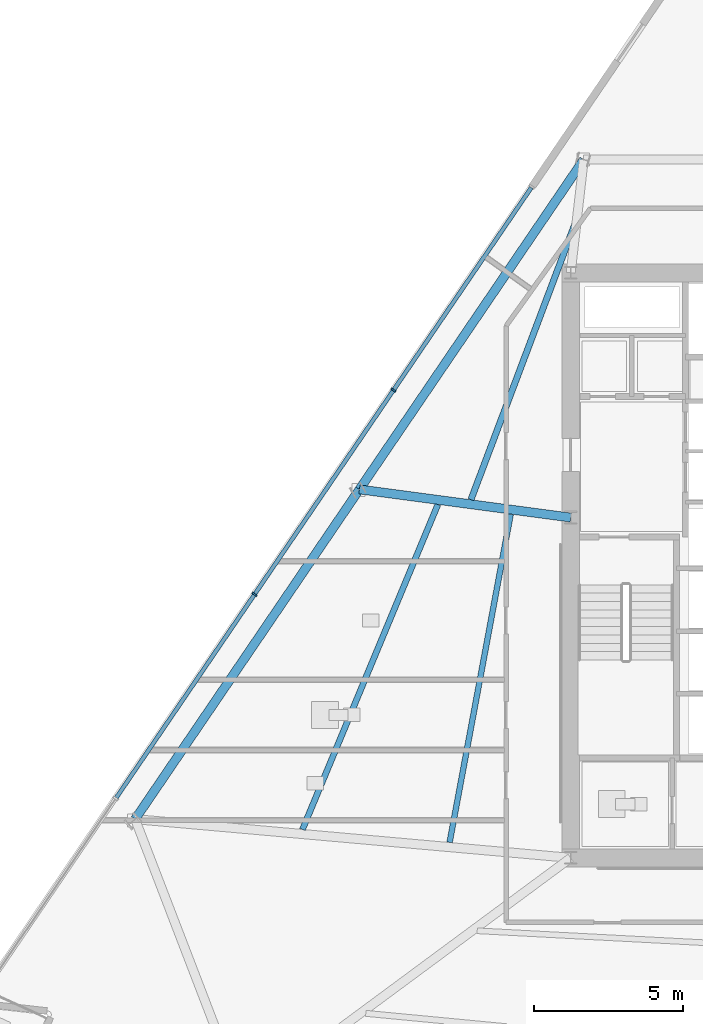
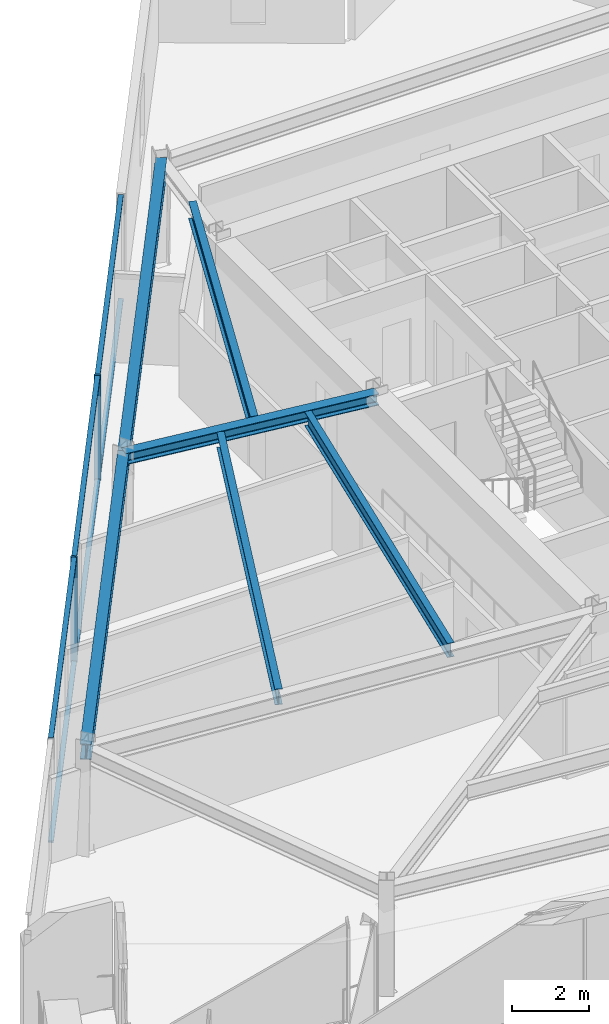
# One storey, part 3 of 15: 8 members, 6 beams, 1 element without a shape of its own.
"""IFC4 building model written with IfcOpenShell, lengths in metres."""

from ifc_helpers import new_model, si_unit, direction, frame, origin, origin_2d, place, context, subcontext, project, spatial, rectangle, i_section, extrude, material, material_profile, profile_set, type_object, element, aggregate, save


model = new_model("IFC4")

# Units and contexts
model_context = context("Model", 3, precision=1e-05, world=origin(), true_north=direction((0.0, 1.0)))
body_context = subcontext(model_context, "Body", "Model", "MODEL_VIEW")
ifc_project = project(units=[si_unit("LENGTHUNIT", "METRE"), si_unit("AREAUNIT", "SQUARE_METRE"), si_unit("VOLUMEUNIT", "CUBIC_METRE"), si_unit("PLANEANGLEUNIT", "RADIAN"), si_unit("MASSUNIT", "GRAM", prefix="KILO")], contexts=[model_context])

# Site, building, storey
site_placement = place(None, origin())
site = spatial("IfcSite", under=ifc_project, at=site_placement, CompositionType="ELEMENT")
building_placement = place(site_placement, origin())
building = spatial("IfcBuilding", under=site, at=building_placement, Name="Savorim Split Tower", CompositionType="ELEMENT")
storey_placement = place(building_placement, frame((0.0, 0.0, 107.699951171875)))
storey = spatial("IfcBuildingStorey", under=building, at=storey_placement, Name="L28", CompositionType="ELEMENT", Elevation=107.699951171875)

# Beams
ifc_material_1 = material(Name="Steel S355", Category="steel")
ifc_material_profile_1 = material_profile(ifc_material_1, i_section(OverallWidth=0.18994140625, OverallDepth=0.449951171875, WebThickness=0.009521484375, FlangeThickness=0.0146484375, FilletRadius=0.02099609375, at=origin_2d()), Name="IPE 450")
ifc_profile_set_1 = profile_set([ifc_material_profile_1], Name="Steel S355")
beam_type_1 = type_object("IfcBeamType", Name="BM-JST-IPE450", PredefinedType="JOIST", material=ifc_profile_set_1)
beam_1_placement = place(storey_placement, frame((-9.711181640625, 2.10693359375, 3.125), z_axis=(-0.183032645998, -0.98310683575, 0.0), x_axis=(0.98310683575, -0.183032645998, 0.0)))
element("IfcBeam", 1, at=beam_1_placement, inside=storey, type_object=beam_type_1, Name="L28 Secondary Floor Joist JS-11", PredefinedType="JOIST", context=body_context, shape_type="SweptSolid", body=[
    extrude(i_section(OverallWidth=0.18994140625, OverallDepth=0.449951171875, WebThickness=0.009521484375, FlangeThickness=0.0146484375, FilletRadius=0.02099609375, at=origin_2d()), origin(), (0.0, 0.0, 1.0), 11.175048828125),
])
ifc_material_profile_2 = material_profile(ifc_material_1, i_section(OverallWidth=0.199951171875, OverallDepth=0.5, WebThickness=0.01025390625, FlangeThickness=0.01611328125, FilletRadius=0.02099609375, at=origin_2d()), Name="IPE 500")
ifc_profile_set_2 = profile_set([ifc_material_profile_2], Name="Steel S355")
beam_type_2 = type_object("IfcBeamType", Name="BM-JST-IPE500", PredefinedType="JOIST", material=ifc_profile_set_2)
beam_2_placement = place(storey_placement, frame((-12.14990234375, 2.4375, 3.10009765625), z_axis=(-0.38465213428, -0.923061609858, 0.0), x_axis=(0.923061609858, -0.38465213428, 0.0)))
element("IfcBeam", 2, at=beam_2_placement, inside=storey, type_object=beam_type_2, Name="L28 Secondary Floor Joist JS-10", PredefinedType="JOIST", context=body_context, shape_type="SweptSolid", body=[
    extrude(i_section(OverallWidth=0.199951171875, OverallDepth=0.5, WebThickness=0.01025390625, FlangeThickness=0.01611328125, FilletRadius=0.02099609375, at=origin_2d()), origin(), (0.0, 0.0, 1.0), 11.792724609375),
])
ifc_material_profile_3 = material_profile(ifc_material_1, i_section(OverallWidth=0.2099609375, OverallDepth=0.550048828125, WebThickness=0.010986328125, FlangeThickness=0.01708984375, FilletRadius=0.02392578125, at=origin_2d()), Name="IPE 550")
ifc_profile_set_3 = profile_set([ifc_material_profile_3], Name="Steel S355")
beam_type_3 = type_object("IfcBeamType", Name="BM-JST-IPE550", PredefinedType="JOIST", material=ifc_profile_set_3)
beam_3_placement = place(storey_placement, frame((-7.546630859375, 11.869873046875, 3.074951171875), z_axis=(-0.352824769533, -0.935689415353, 0.0), x_axis=(0.935689415353, -0.352824769533, 0.0)))
element("IfcBeam", 3, at=beam_3_placement, inside=storey, type_object=beam_type_3, Name="L28 Secondary Floor Joist JS-09", PredefinedType="JOIST", context=body_context, shape_type="SweptSolid", body=[
    extrude(i_section(OverallWidth=0.2099609375, OverallDepth=0.550048828125, WebThickness=0.010986328125, FlangeThickness=0.01708984375, FilletRadius=0.02392578125, at=origin_2d()), origin(), (0.0, 0.0, 1.0), 9.904052734375),
])
ifc_material_profile_4 = material_profile(ifc_material_1, i_section(OverallWidth=0.300048828125, OverallDepth=0.360107421875, WebThickness=0.012451171875, FlangeThickness=0.0224609375, FilletRadius=0.027099609375, at=origin_2d()), Name="HEB 360")
ifc_profile_set_4 = profile_set([ifc_material_profile_4], Name="Steel S355")
beam_type_4 = type_object("IfcBeamType", Name="BM-PRI-HEB360", PredefinedType="BEAM", material=ifc_profile_set_4)
beam_4_placement = place(storey_placement, frame((-14.778076171875, 2.944091796875, 3.170166015625), z_axis=(0.991221629006, -0.13221074915, 0.0), x_axis=(0.13221074915, 0.991221629006, 0.0)))
element("IfcBeam", 4, at=beam_4_placement, inside=storey, type_object=beam_type_4, Name="L28 Primary Floor Girder RG-09", PredefinedType="BEAM", context=body_context, shape_type="SweptSolid", body=[
    extrude(i_section(OverallWidth=0.300048828125, OverallDepth=0.360107421875, WebThickness=0.012451171875, FlangeThickness=0.0224609375, FilletRadius=0.027099609375, at=origin_2d()), origin(), (0.0, 0.0, 1.0), 7.140869140625),
])
ifc_material_profile_5 = material_profile(ifc_material_1, i_section(OverallWidth=0.300048828125, OverallDepth=0.489990234375, WebThickness=0.011962890625, FlangeThickness=0.02294921875, FilletRadius=0.027099609375, at=origin_2d()), Name="HEA 500")
ifc_profile_set_5 = profile_set([ifc_material_profile_5], Name="Steel S355")
beam_type_5 = type_object("IfcBeamType", Name="BM-SPN-HEA500", PredefinedType="SPANDREL", material=ifc_profile_set_5)
for number, where, z_axis, x_axis, name in (
    (5, (-7.26318359375, 13.990966796875, 3.10498046875), (-0.562464453327, -0.826821467273, 0.0), (0.826821467273, -0.562464453327, 0.0), "L28 Perimeter Spandrel Beam 8"),
    (6, (-14.778076171875, 2.944091796875, 3.10498046875), (-0.562464453327, -0.826821467273, 0.0), (0.826821467273, -0.562464453327, 0.0), "L28 Perimeter Spandrel Beam 9"),
):
    element("IfcBeam", number, at=place(storey_placement, frame(where, z_axis=z_axis, x_axis=x_axis)), inside=storey, type_object=beam_type_5, Name=name, PredefinedType="SPANDREL", context=body_context, shape_type="SweptSolid", body=[
        extrude(i_section(OverallWidth=0.300048828125, OverallDepth=0.489990234375, WebThickness=0.011962890625, FlangeThickness=0.02294921875, FilletRadius=0.027099609375, at=origin_2d()), origin(), (0.0, 0.0, 1.0), 13.360595703125),
    ])

# Curtain wall, members
ifc_material_2 = material(Name="Dark Ceramic-Fritted Insulated Glass", Category="glass")
curtain_wall_type = type_object("IfcCurtainWallType", Name="CW-TWR-FRIT-A", PredefinedType="NOTDEFINED", material=ifc_material_2)
curtain_wall_placement = place(storey_placement, origin())
curtain_wall = element("IfcCurtainWall", 7, at=curtain_wall_placement, inside=storey, type_object=curtain_wall_type, Name="L28 Curtain Wall CW-L28-WEST", PredefinedType="NOTDEFINED")
ifc_material_3 = material(Name="Charcoal Anodised Aluminium", Category="aluminium")
ifc_material_profile_6 = material_profile(ifc_material_3, rectangle(XDim=0.179931640625, YDim=0.06494140625, at=origin_2d()), Name="ALU-M 180x65")
ifc_profile_set_6 = profile_set([ifc_material_profile_6], Name="Charcoal Anodised Aluminium")
member_type_1 = type_object("IfcMemberType", Name="CWM-180x65", PredefinedType="MULLION", material=ifc_profile_set_6)
member_1_placement = place(storey_placement, frame((-13.636474609375, 6.269287109375, 0.0), z_axis=(0.0, 0.0, 1.0), x_axis=(0.826819959579, -0.562466669628, 0.0)))
member_1 = element("IfcMember", 8, at=member_1_placement, type_object=member_type_1, Name="CW-02 mullion 2", PredefinedType="MULLION", context=body_context, shape_type="SweptSolid", body=[
    extrude(rectangle(XDim=0.179931640625, YDim=0.06494140625, at=origin_2d()), origin(), (0.0, 0.0, 1.0), 3.35009765625),
])
member_2_placement = place(storey_placement, frame((-18.288818359375, -0.570068359375, 0.0), z_axis=(0.0, 0.0, 1.0), x_axis=(0.826819959579, -0.562466669628, 0.0)))
member_2 = element("IfcMember", 9, at=member_2_placement, type_object=member_type_1, Name="CW-02 mullion 3", PredefinedType="MULLION", context=body_context, shape_type="SweptSolid", body=[
    extrude(rectangle(XDim=0.179931640625, YDim=0.06494140625, at=origin_2d()), origin(), (0.0, 0.0, 1.0), 3.35009765625),
])
ifc_material_profile_7 = material_profile(ifc_material_3, rectangle(XDim=0.139892578125, YDim=0.054931640625, at=origin_2d()), Name="ALU-T 140x55")
ifc_profile_set_7 = profile_set([ifc_material_profile_7], Name="Charcoal Anodised Aluminium")
member_type_2 = type_object("IfcMemberType", Name="CWT-140x55", PredefinedType="USERDEFINED", material=ifc_profile_set_7)
member_3_placement = place(storey_placement, frame((-9.0205078125, 13.054443359375, 0.027587890625), z_axis=(-0.562478304433, -0.826812044568, 0.0), x_axis=(0.826812044568, -0.562478304433, 0.0)))
member_3 = element("IfcMember", 10, at=member_3_placement, type_object=member_type_2, Name="CW-02 transom 1.1", ObjectType="TRANSOM", PredefinedType="USERDEFINED", context=body_context, shape_type="SweptSolid", body=[
    extrude(rectangle(XDim=0.139892578125, YDim=0.054931640625, at=origin_2d()), origin(), (0.0, 0.0, 1.0), 8.173828125),
])
member_4_placement = place(storey_placement, frame((-9.0205078125, 13.054443359375, 3.322509765625), z_axis=(-0.562478304433, -0.826812044568, 0.0), x_axis=(0.826812044568, -0.562478304433, 0.0)))
member_4 = element("IfcMember", 11, at=member_4_placement, type_object=member_type_2, Name="CW-02 transom 1.2", ObjectType="TRANSOM", PredefinedType="USERDEFINED", context=body_context, shape_type="SweptSolid", body=[
    extrude(rectangle(XDim=0.139892578125, YDim=0.054931640625, at=origin_2d()), origin(), (0.0, 0.0, 1.0), 8.173828125),
])
member_5_placement = place(storey_placement, frame((-13.65478515625, 6.2421875, 0.027587890625), z_axis=(-0.562461368044, -0.8268235661, 0.0), x_axis=(0.8268235661, -0.562461368044, 0.0)))
member_5 = element("IfcMember", 12, at=member_5_placement, type_object=member_type_2, Name="CW-02 transom 2.1", ObjectType="TRANSOM", PredefinedType="USERDEFINED", context=body_context, shape_type="SweptSolid", body=[
    extrude(rectangle(XDim=0.139892578125, YDim=0.054931640625, at=origin_2d()), origin(), (0.0, 0.0, 1.0), 8.206298828125),
])
member_6_placement = place(storey_placement, frame((-13.65478515625, 6.2421875, 3.322509765625), z_axis=(-0.562461368044, -0.8268235661, 0.0), x_axis=(0.8268235661, -0.562461368044, 0.0)))
member_6 = element("IfcMember", 13, at=member_6_placement, type_object=member_type_2, Name="CW-02 transom 2.2", ObjectType="TRANSOM", PredefinedType="USERDEFINED", context=body_context, shape_type="SweptSolid", body=[
    extrude(rectangle(XDim=0.139892578125, YDim=0.054931640625, at=origin_2d()), origin(), (0.0, 0.0, 1.0), 8.206298828125),
])
member_7_placement = place(storey_placement, frame((-18.30712890625, -0.596923828125, 0.027587890625), z_axis=(-0.562467870631, -0.826819142563, 0.0), x_axis=(0.826819142563, -0.562467870631, 0.0)))
member_7 = element("IfcMember", 14, at=member_7_placement, type_object=member_type_2, Name="CW-02 transom 3.1", ObjectType="TRANSOM", PredefinedType="USERDEFINED", context=body_context, shape_type="SweptSolid", body=[
    extrude(rectangle(XDim=0.139892578125, YDim=0.054931640625, at=origin_2d()), origin(), (0.0, 0.0, 1.0), 8.20654296875),
])
member_8_placement = place(storey_placement, frame((-18.30712890625, -0.596923828125, 3.322509765625), z_axis=(-0.562467870631, -0.826819142563, 0.0), x_axis=(0.826819142563, -0.562467870631, 0.0)))
member_8 = element("IfcMember", 15, at=member_8_placement, type_object=member_type_2, Name="CW-02 transom 3.2", ObjectType="TRANSOM", PredefinedType="USERDEFINED", context=body_context, shape_type="SweptSolid", body=[
    extrude(rectangle(XDim=0.139892578125, YDim=0.054931640625, at=origin_2d()), origin(), (0.0, 0.0, 1.0), 8.20654296875),
])
aggregate(curtain_wall, [member_1, member_2, member_3, member_4, member_5, member_6, member_7, member_8])

save(model, "model.ifc")
